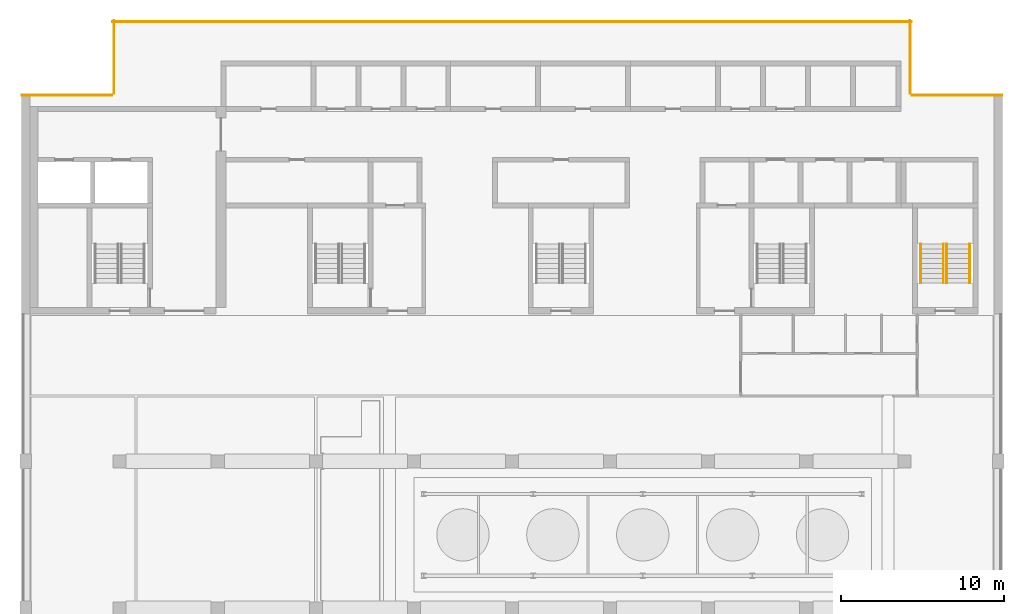
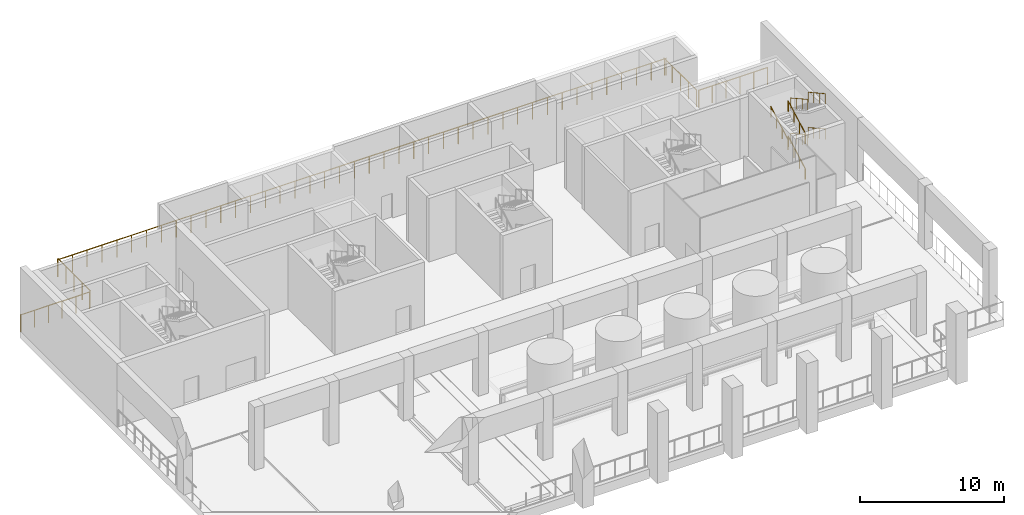
# One storey, part 10 of 11: 12 railings, 1 element without a shape of its own.
"""IFC4 building model written with IfcOpenShell, lengths in metres."""

from ifc_helpers import new_model, si_unit, direction, frame, origin, origin_2d, place, context, subcontext, project, spatial, circle, extrude, material, type_object, element, aggregate, save


model = new_model("IFC4")

# Units and contexts
model_context = context("Model", 3, precision=1e-05, world=origin(), true_north=direction((0.0, 1.0)))
body_context = subcontext(model_context, "Body", "Model", "MODEL_VIEW")
ifc_project = project(units=[si_unit("LENGTHUNIT", "METRE"), si_unit("AREAUNIT", "SQUARE_METRE"), si_unit("VOLUMEUNIT", "CUBIC_METRE"), si_unit("PLANEANGLEUNIT", "RADIAN"), si_unit("MASSUNIT", "GRAM", prefix="KILO")], contexts=[model_context])

# Site, building, storey
site_placement = place(None, origin())
site = spatial("IfcSite", under=ifc_project, at=site_placement, CompositionType="ELEMENT")
building_placement = place(site_placement, origin())
building = spatial("IfcBuilding", under=site, at=building_placement, Name="Calvaro Tower", CompositionType="ELEMENT")
storey_placement = place(building_placement, frame((0.0, 0.0, 265.949951171875)))
storey = spatial("IfcBuildingStorey", under=building, at=storey_placement, Name="L67", CompositionType="ELEMENT", Elevation=265.949951171875)

# Railings
ifc_material_1 = material(Name="Stainless steel", Category="steel")
railing_type_1 = type_object("IfcRailingType", Name="Guard 1450", PredefinedType="GUARDRAIL", material=ifc_material_1)
railing_1_placement = place(storey_placement, frame((6.0, 41.39990234375, 0.0)))
element("IfcRailing", 1, at=railing_1_placement, inside=storey, type_object=railing_type_1, Name="Edge guard", PredefinedType="GUARDRAIL", context=body_context, shape_type="SweptSolid", body=[
    extrude(circle(Radius=0.02392578125, at=origin_2d()), frame((0.0, 0.0, 1.42578125), z_axis=(1.0, 0.0, 0.0), x_axis=(0.0, 1.0, 0.0)), (0.0, 0.0, 1.0), 5.550048828125),
    extrude(circle(Radius=0.02099609375, at=origin_2d()), frame((0.02099609375, 0.0, 0.0)), (0.0, 0.0, 1.0), 1.40185546875),
    extrude(circle(Radius=0.02099609375, at=origin_2d()), frame((1.110107421875, 0.0, 0.0)), (0.0, 0.0, 1.0), 1.40185546875),
    extrude(circle(Radius=0.02099609375, at=origin_2d()), frame((2.219970703125, 0.0, 0.0)), (0.0, 0.0, 1.0), 1.40185546875),
    extrude(circle(Radius=0.02099609375, at=origin_2d()), frame((3.330078125, 0.0, 0.0)), (0.0, 0.0, 1.0), 1.40185546875),
    extrude(circle(Radius=0.02099609375, at=origin_2d()), frame((4.43994140625, 0.0, 0.0)), (0.0, 0.0, 1.0), 1.40185546875),
    extrude(circle(Radius=0.02099609375, at=origin_2d()), frame((5.529052734375, 0.0, 0.0)), (0.0, 0.0, 1.0), 1.40185546875),
])
railing_2_placement = place(storey_placement, frame((11.64990234375, 41.5, 0.0)))
element("IfcRailing", 2, at=railing_2_placement, inside=storey, type_object=railing_type_1, Name="Edge guard", PredefinedType="GUARDRAIL", context=body_context, shape_type="SweptSolid", body=[
    extrude(circle(Radius=0.02392578125, at=origin_2d()), frame((0.0, 0.0, 1.42578125), z_axis=(0.0, 1.0, 0.0), x_axis=(-1.0, 0.0, 0.0)), (0.0, 0.0, 1.0), 4.5),
    extrude(circle(Radius=0.02099609375, at=origin_2d()), frame((0.0, 0.02099609375, 0.0)), (0.0, 0.0, 1.0), 1.40185546875),
    extrude(circle(Radius=0.02099609375, at=origin_2d()), frame((0.0, 1.125, 0.0)), (0.0, 0.0, 1.0), 1.40185546875),
    extrude(circle(Radius=0.02099609375, at=origin_2d()), frame((0.0, 2.25, 0.0)), (0.0, 0.0, 1.0), 1.40185546875),
    extrude(circle(Radius=0.02099609375, at=origin_2d()), frame((0.0, 3.375, 0.0)), (0.0, 0.0, 1.0), 1.40185546875),
    extrude(circle(Radius=0.02099609375, at=origin_2d()), frame((0.0, 4.47900390625, 0.0)), (0.0, 0.0, 1.0), 1.40185546875),
])
railing_3_placement = place(storey_placement, frame((11.550048828125, 45.89990234375, 0.0)))
element("IfcRailing", 3, at=railing_3_placement, inside=storey, type_object=railing_type_1, Name="Edge guard", PredefinedType="GUARDRAIL", context=body_context, shape_type="SweptSolid", body=[
    extrude(circle(Radius=0.02392578125, at=origin_2d()), frame((0.0, 0.0, 1.42578125), z_axis=(1.0, 0.0, 0.0), x_axis=(0.0, 1.0, 0.0)), (0.0, 0.0, 1.0), 48.89990234375),
    extrude(circle(Radius=0.02099609375, at=origin_2d()), frame((0.02099609375, 0.0, 0.0)), (0.0, 0.0, 1.0), 1.40185546875),
    extrude(circle(Radius=0.02099609375, at=origin_2d()), frame((1.192626953125, 0.0, 0.0)), (0.0, 0.0, 1.0), 1.40185546875),
    extrude(circle(Radius=0.02099609375, at=origin_2d()), frame((2.38525390625, 0.0, 0.0)), (0.0, 0.0, 1.0), 1.40185546875),
    extrude(circle(Radius=0.02099609375, at=origin_2d()), frame((3.578125, 0.0, 0.0)), (0.0, 0.0, 1.0), 1.40185546875),
    extrude(circle(Radius=0.02099609375, at=origin_2d()), frame((4.770751953125, 0.0, 0.0)), (0.0, 0.0, 1.0), 1.40185546875),
    extrude(circle(Radius=0.02099609375, at=origin_2d()), frame((5.96337890625, 0.0, 0.0)), (0.0, 0.0, 1.0), 1.40185546875),
    extrude(circle(Radius=0.02099609375, at=origin_2d()), frame((7.156005859375, 0.0, 0.0)), (0.0, 0.0, 1.0), 1.40185546875),
    extrude(circle(Radius=0.02099609375, at=origin_2d()), frame((8.348876953125, 0.0, 0.0)), (0.0, 0.0, 1.0), 1.40185546875),
    extrude(circle(Radius=0.02099609375, at=origin_2d()), frame((9.54150390625, 0.0, 0.0)), (0.0, 0.0, 1.0), 1.40185546875),
    extrude(circle(Radius=0.02099609375, at=origin_2d()), frame((10.734130859375, 0.0, 0.0)), (0.0, 0.0, 1.0), 1.40185546875),
    extrude(circle(Radius=0.02099609375, at=origin_2d()), frame((11.9267578125, 0.0, 0.0)), (0.0, 0.0, 1.0), 1.40185546875),
    extrude(circle(Radius=0.02099609375, at=origin_2d()), frame((13.119384765625, 0.0, 0.0)), (0.0, 0.0, 1.0), 1.40185546875),
    extrude(circle(Radius=0.02099609375, at=origin_2d()), frame((14.312255859375, 0.0, 0.0)), (0.0, 0.0, 1.0), 1.40185546875),
    extrude(circle(Radius=0.02099609375, at=origin_2d()), frame((15.5048828125, 0.0, 0.0)), (0.0, 0.0, 1.0), 1.40185546875),
    extrude(circle(Radius=0.02099609375, at=origin_2d()), frame((16.697509765625, 0.0, 0.0)), (0.0, 0.0, 1.0), 1.40185546875),
    extrude(circle(Radius=0.02099609375, at=origin_2d()), frame((17.89013671875, 0.0, 0.0)), (0.0, 0.0, 1.0), 1.40185546875),
    extrude(circle(Radius=0.02099609375, at=origin_2d()), frame((19.0830078125, 0.0, 0.0)), (0.0, 0.0, 1.0), 1.40185546875),
    extrude(circle(Radius=0.02099609375, at=origin_2d()), frame((20.275634765625, 0.0, 0.0)), (0.0, 0.0, 1.0), 1.40185546875),
    extrude(circle(Radius=0.02099609375, at=origin_2d()), frame((21.46826171875, 0.0, 0.0)), (0.0, 0.0, 1.0), 1.40185546875),
    extrude(circle(Radius=0.02099609375, at=origin_2d()), frame((22.660888671875, 0.0, 0.0)), (0.0, 0.0, 1.0), 1.40185546875),
    extrude(circle(Radius=0.02099609375, at=origin_2d()), frame((23.853515625, 0.0, 0.0)), (0.0, 0.0, 1.0), 1.40185546875),
    extrude(circle(Radius=0.02099609375, at=origin_2d()), frame((25.04638671875, 0.0, 0.0)), (0.0, 0.0, 1.0), 1.40185546875),
    extrude(circle(Radius=0.02099609375, at=origin_2d()), frame((26.239013671875, 0.0, 0.0)), (0.0, 0.0, 1.0), 1.40185546875),
    extrude(circle(Radius=0.02099609375, at=origin_2d()), frame((27.431640625, 0.0, 0.0)), (0.0, 0.0, 1.0), 1.40185546875),
    extrude(circle(Radius=0.02099609375, at=origin_2d()), frame((28.624267578125, 0.0, 0.0)), (0.0, 0.0, 1.0), 1.40185546875),
    extrude(circle(Radius=0.02099609375, at=origin_2d()), frame((29.81689453125, 0.0, 0.0)), (0.0, 0.0, 1.0), 1.40185546875),
    extrude(circle(Radius=0.02099609375, at=origin_2d()), frame((31.009765625, 0.0, 0.0)), (0.0, 0.0, 1.0), 1.40185546875),
    extrude(circle(Radius=0.02099609375, at=origin_2d()), frame((32.202392578125, 0.0, 0.0)), (0.0, 0.0, 1.0), 1.40185546875),
    extrude(circle(Radius=0.02099609375, at=origin_2d()), frame((33.39501953125, 0.0, 0.0)), (0.0, 0.0, 1.0), 1.40185546875),
    extrude(circle(Radius=0.02099609375, at=origin_2d()), frame((34.587646484375, 0.0, 0.0)), (0.0, 0.0, 1.0), 1.40185546875),
    extrude(circle(Radius=0.02099609375, at=origin_2d()), frame((35.780517578125, 0.0, 0.0)), (0.0, 0.0, 1.0), 1.40185546875),
    extrude(circle(Radius=0.02099609375, at=origin_2d()), frame((36.97314453125, 0.0, 0.0)), (0.0, 0.0, 1.0), 1.40185546875),
    extrude(circle(Radius=0.02099609375, at=origin_2d()), frame((38.165771484375, 0.0, 0.0)), (0.0, 0.0, 1.0), 1.40185546875),
    extrude(circle(Radius=0.02099609375, at=origin_2d()), frame((39.3583984375, 0.0, 0.0)), (0.0, 0.0, 1.0), 1.40185546875),
    extrude(circle(Radius=0.02099609375, at=origin_2d()), frame((40.551025390625, 0.0, 0.0)), (0.0, 0.0, 1.0), 1.40185546875),
    extrude(circle(Radius=0.02099609375, at=origin_2d()), frame((41.743896484375, 0.0, 0.0)), (0.0, 0.0, 1.0), 1.40185546875),
    extrude(circle(Radius=0.02099609375, at=origin_2d()), frame((42.9365234375, 0.0, 0.0)), (0.0, 0.0, 1.0), 1.40185546875),
    extrude(circle(Radius=0.02099609375, at=origin_2d()), frame((44.129150390625, 0.0, 0.0)), (0.0, 0.0, 1.0), 1.40185546875),
    extrude(circle(Radius=0.02099609375, at=origin_2d()), frame((45.32177734375, 0.0, 0.0)), (0.0, 0.0, 1.0), 1.40185546875),
    extrude(circle(Radius=0.02099609375, at=origin_2d()), frame((46.5146484375, 0.0, 0.0)), (0.0, 0.0, 1.0), 1.40185546875),
    extrude(circle(Radius=0.02099609375, at=origin_2d()), frame((47.707275390625, 0.0, 0.0)), (0.0, 0.0, 1.0), 1.40185546875),
    extrude(circle(Radius=0.02099609375, at=origin_2d()), frame((48.87890625, 0.0, 0.0)), (0.0, 0.0, 1.0), 1.40185546875),
])
railing_4_placement = place(storey_placement, frame((60.35009765625, 46.0, 0.0)))
element("IfcRailing", 4, at=railing_4_placement, inside=storey, type_object=railing_type_1, Name="Edge guard", PredefinedType="GUARDRAIL", context=body_context, shape_type="SweptSolid", body=[
    extrude(circle(Radius=0.02392578125, at=origin_2d()), frame((0.0, 0.0, 1.42578125), z_axis=(0.0, -1.0, 0.0), x_axis=(1.0, 0.0, 0.0)), (0.0, 0.0, 1.0), 4.5),
    extrude(circle(Radius=0.02099609375, at=origin_2d()), frame((0.0, -0.02099609375, 0.0)), (0.0, 0.0, 1.0), 1.40185546875),
    extrude(circle(Radius=0.02099609375, at=origin_2d()), frame((0.0, -1.125, 0.0)), (0.0, 0.0, 1.0), 1.40185546875),
    extrude(circle(Radius=0.02099609375, at=origin_2d()), frame((0.0, -2.25, 0.0)), (0.0, 0.0, 1.0), 1.40185546875),
    extrude(circle(Radius=0.02099609375, at=origin_2d()), frame((0.0, -3.375, 0.0)), (0.0, 0.0, 1.0), 1.40185546875),
    extrude(circle(Radius=0.02099609375, at=origin_2d()), frame((0.0, -4.47900390625, 0.0)), (0.0, 0.0, 1.0), 1.40185546875),
])
railing_5_placement = place(storey_placement, frame((60.449951171875, 41.39990234375, 0.0)))
element("IfcRailing", 5, at=railing_5_placement, inside=storey, type_object=railing_type_1, Name="Edge guard", PredefinedType="GUARDRAIL", context=body_context, shape_type="SweptSolid", body=[
    extrude(circle(Radius=0.02392578125, at=origin_2d()), frame((0.0, 0.0, 1.42578125), z_axis=(1.0, 0.0, 0.0), x_axis=(0.0, 1.0, 0.0)), (0.0, 0.0, 1.0), 5.550048828125),
    extrude(circle(Radius=0.02099609375, at=origin_2d()), frame((0.02099609375, 0.0, 0.0)), (0.0, 0.0, 1.0), 1.40185546875),
    extrude(circle(Radius=0.02099609375, at=origin_2d()), frame((1.110107421875, 0.0, 0.0)), (0.0, 0.0, 1.0), 1.40185546875),
    extrude(circle(Radius=0.02099609375, at=origin_2d()), frame((2.219970703125, 0.0, 0.0)), (0.0, 0.0, 1.0), 1.40185546875),
    extrude(circle(Radius=0.02099609375, at=origin_2d()), frame((3.330078125, 0.0, 0.0)), (0.0, 0.0, 1.0), 1.40185546875),
    extrude(circle(Radius=0.02099609375, at=origin_2d()), frame((4.43994140625, 0.0, 0.0)), (0.0, 0.0, 1.0), 1.40185546875),
    extrude(circle(Radius=0.02099609375, at=origin_2d()), frame((5.529052734375, 0.0, 0.0)), (0.0, 0.0, 1.0), 1.40185546875),
])

# Stair, railings
ifc_material_2 = material(Name="Concrete C40/50", Category="concrete")
stair_type = type_object("IfcStairType", Name="Exit stair 1400 4 flights", PredefinedType="DOUBLE_RETURN_STAIR", material=ifc_material_2)
stair_placement = place(storey_placement, origin())
stair = element("IfcStair", 6, at=stair_placement, inside=storey, type_object=stair_type, Name="Exit stair S5", PredefinedType="DOUBLE_RETURN_STAIR")
ifc_material_3 = material(Name="Stainless steel", Category="steel")
railing_type_2 = type_object("IfcRailingType", Name="Stair handrail", PredefinedType="HANDRAIL", material=ifc_material_3)
railing_6_placement = place(storey_placement, frame((62.39990234375, 29.89990234375, 0.166748046875)))
railing_6 = element("IfcRailing", 7, at=railing_6_placement, type_object=railing_type_2, Name="Exit stair 5 handrail", PredefinedType="HANDRAIL", context=body_context, shape_type="SweptSolid", body=[
    extrude(circle(Radius=0.02392578125, at=origin_2d()), frame((0.0, 0.0, 0.8759765625), z_axis=(0.0, 0.874182441271, 0.485597631145), x_axis=(-1.0, 0.0, 0.0)), (0.0, 0.0, 1.0), 2.74560546875),
    extrude(circle(Radius=0.02099609375, at=origin_2d()), frame((0.0, 0.018310546875, 0.01025390625)), (0.0, 0.0, 1.0), 0.851806640625),
    extrude(circle(Radius=0.02099609375, at=origin_2d()), frame((0.0, 0.800048828125, 0.4443359375)), (0.0, 0.0, 1.0), 0.851806640625),
    extrude(circle(Radius=0.02099609375, at=origin_2d()), frame((0.0, 1.60009765625, 0.888916015625)), (0.0, 0.0, 1.0), 0.851806640625),
    extrude(circle(Radius=0.02099609375, at=origin_2d()), frame((0.0, 2.3818359375, 1.322998046875)), (0.0, 0.0, 1.0), 0.851806640625),
])
railing_7_placement = place(storey_placement, frame((62.60009765625, 32.300048828125, 1.666748046875)))
railing_7 = element("IfcRailing", 8, at=railing_7_placement, type_object=railing_type_2, Name="Exit stair 5 handrail", PredefinedType="HANDRAIL", context=body_context, shape_type="SweptSolid", body=[
    extrude(circle(Radius=0.02392578125, at=origin_2d()), frame((0.0, 0.0, 0.8759765625), z_axis=(0.0, -0.874182441271, 0.485597631145), x_axis=(1.0, 0.0, 0.0)), (0.0, 0.0, 1.0), 2.74560546875),
    extrude(circle(Radius=0.02099609375, at=origin_2d()), frame((0.0, -0.018310546875, 0.01025390625)), (0.0, 0.0, 1.0), 0.851806640625),
    extrude(circle(Radius=0.02099609375, at=origin_2d()), frame((0.0, -0.800048828125, 0.4443359375)), (0.0, 0.0, 1.0), 0.851806640625),
    extrude(circle(Radius=0.02099609375, at=origin_2d()), frame((0.0, -1.60009765625, 0.888916015625)), (0.0, 0.0, 1.0), 0.851806640625),
    extrude(circle(Radius=0.02099609375, at=origin_2d()), frame((0.0, -2.3818359375, 1.322998046875)), (0.0, 0.0, 1.0), 0.851806640625),
])
railing_8_placement = place(storey_placement, frame((64.0, 32.300048828125, 1.666748046875)))
railing_8 = element("IfcRailing", 9, at=railing_8_placement, type_object=railing_type_2, Name="Exit stair 5 handrail", PredefinedType="HANDRAIL", context=body_context, shape_type="SweptSolid", body=[
    extrude(circle(Radius=0.02392578125, at=origin_2d()), frame((0.0, 0.0, 0.8759765625), z_axis=(0.0, -0.874182441271, 0.485597631145), x_axis=(1.0, 0.0, 0.0)), (0.0, 0.0, 1.0), 2.74560546875),
    extrude(circle(Radius=0.02099609375, at=origin_2d()), frame((0.0, -0.018310546875, 0.01025390625)), (0.0, 0.0, 1.0), 0.851806640625),
    extrude(circle(Radius=0.02099609375, at=origin_2d()), frame((0.0, -0.800048828125, 0.4443359375)), (0.0, 0.0, 1.0), 0.851806640625),
    extrude(circle(Radius=0.02099609375, at=origin_2d()), frame((0.0, -1.60009765625, 0.888916015625)), (0.0, 0.0, 1.0), 0.851806640625),
    extrude(circle(Radius=0.02099609375, at=origin_2d()), frame((0.0, -2.3818359375, 1.322998046875)), (0.0, 0.0, 1.0), 0.851806640625),
])
railing_9_placement = place(storey_placement, frame((62.39990234375, 29.89990234375, 3.166748046875)))
railing_9 = element("IfcRailing", 10, at=railing_9_placement, type_object=railing_type_2, Name="Exit stair 5 handrail", PredefinedType="HANDRAIL", context=body_context, shape_type="SweptSolid", body=[
    extrude(circle(Radius=0.02392578125, at=origin_2d()), frame((0.0, 0.0, 0.8759765625), z_axis=(0.0, 0.874182441271, 0.485597631145), x_axis=(-1.0, 0.0, 0.0)), (0.0, 0.0, 1.0), 2.74560546875),
    extrude(circle(Radius=0.02099609375, at=origin_2d()), frame((0.0, 0.018310546875, 0.01025390625)), (0.0, 0.0, 1.0), 0.851806640625),
    extrude(circle(Radius=0.02099609375, at=origin_2d()), frame((0.0, 0.800048828125, 0.4443359375)), (0.0, 0.0, 1.0), 0.851806640625),
    extrude(circle(Radius=0.02099609375, at=origin_2d()), frame((0.0, 1.60009765625, 0.888916015625)), (0.0, 0.0, 1.0), 0.851806640625),
    extrude(circle(Radius=0.02099609375, at=origin_2d()), frame((0.0, 2.3818359375, 1.322998046875)), (0.0, 0.0, 1.0), 0.851806640625),
])
railing_10_placement = place(storey_placement, frame((61.0, 29.89990234375, 3.166748046875)))
railing_10 = element("IfcRailing", 11, at=railing_10_placement, type_object=railing_type_2, Name="Exit stair 5 handrail", PredefinedType="HANDRAIL", context=body_context, shape_type="SweptSolid", body=[
    extrude(circle(Radius=0.02392578125, at=origin_2d()), frame((0.0, 0.0, 0.8759765625), z_axis=(0.0, 0.874182441271, 0.485597631145), x_axis=(-1.0, 0.0, 0.0)), (0.0, 0.0, 1.0), 2.74560546875),
    extrude(circle(Radius=0.02099609375, at=origin_2d()), frame((0.0, 0.018310546875, 0.01025390625)), (0.0, 0.0, 1.0), 0.851806640625),
    extrude(circle(Radius=0.02099609375, at=origin_2d()), frame((0.0, 0.800048828125, 0.4443359375)), (0.0, 0.0, 1.0), 0.851806640625),
    extrude(circle(Radius=0.02099609375, at=origin_2d()), frame((0.0, 1.60009765625, 0.888916015625)), (0.0, 0.0, 1.0), 0.851806640625),
    extrude(circle(Radius=0.02099609375, at=origin_2d()), frame((0.0, 2.3818359375, 1.322998046875)), (0.0, 0.0, 1.0), 0.851806640625),
])
railing_11_placement = place(storey_placement, frame((62.60009765625, 32.300048828125, 4.666748046875)))
railing_11 = element("IfcRailing", 12, at=railing_11_placement, type_object=railing_type_2, Name="Exit stair 5 handrail", PredefinedType="HANDRAIL", context=body_context, shape_type="SweptSolid", body=[
    extrude(circle(Radius=0.02392578125, at=origin_2d()), frame((0.0, 0.0, 0.8759765625), z_axis=(0.0, -0.874182441271, 0.485597631145), x_axis=(1.0, 0.0, 0.0)), (0.0, 0.0, 1.0), 2.74560546875),
    extrude(circle(Radius=0.02099609375, at=origin_2d()), frame((0.0, -0.018310546875, 0.01025390625)), (0.0, 0.0, 1.0), 0.851806640625),
    extrude(circle(Radius=0.02099609375, at=origin_2d()), frame((0.0, -0.800048828125, 0.4443359375)), (0.0, 0.0, 1.0), 0.851806640625),
    extrude(circle(Radius=0.02099609375, at=origin_2d()), frame((0.0, -1.60009765625, 0.888916015625)), (0.0, 0.0, 1.0), 0.851806640625),
    extrude(circle(Radius=0.02099609375, at=origin_2d()), frame((0.0, -2.3818359375, 1.322998046875)), (0.0, 0.0, 1.0), 0.851806640625),
])
railing_12_placement = place(storey_placement, frame((64.0, 32.300048828125, 4.666748046875)))
railing_12 = element("IfcRailing", 13, at=railing_12_placement, type_object=railing_type_2, Name="Exit stair 5 handrail", PredefinedType="HANDRAIL", context=body_context, shape_type="SweptSolid", body=[
    extrude(circle(Radius=0.02392578125, at=origin_2d()), frame((0.0, 0.0, 0.8759765625), z_axis=(0.0, -0.874182441271, 0.485597631145), x_axis=(1.0, 0.0, 0.0)), (0.0, 0.0, 1.0), 2.74560546875),
    extrude(circle(Radius=0.02099609375, at=origin_2d()), frame((0.0, -0.018310546875, 0.01025390625)), (0.0, 0.0, 1.0), 0.851806640625),
    extrude(circle(Radius=0.02099609375, at=origin_2d()), frame((0.0, -0.800048828125, 0.4443359375)), (0.0, 0.0, 1.0), 0.851806640625),
    extrude(circle(Radius=0.02099609375, at=origin_2d()), frame((0.0, -1.60009765625, 0.888916015625)), (0.0, 0.0, 1.0), 0.851806640625),
    extrude(circle(Radius=0.02099609375, at=origin_2d()), frame((0.0, -2.3818359375, 1.322998046875)), (0.0, 0.0, 1.0), 0.851806640625),
])
aggregate(stair, [railing_6, railing_7, railing_8, railing_9, railing_10, railing_11, railing_12])

save(model, "model.ifc")
